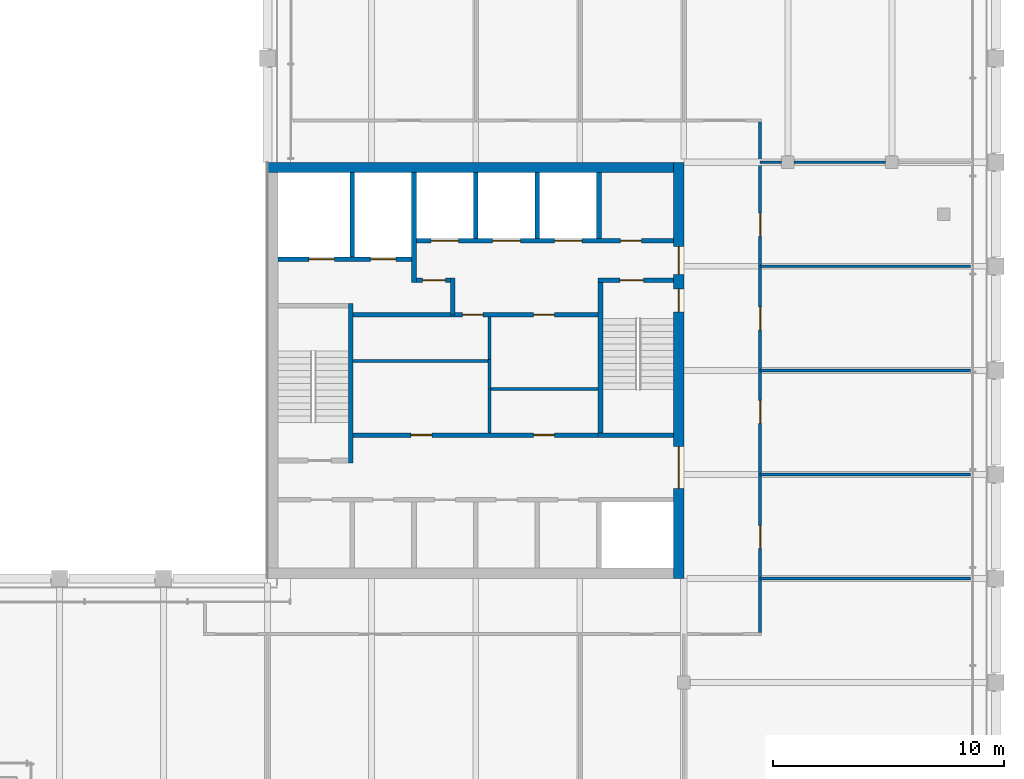
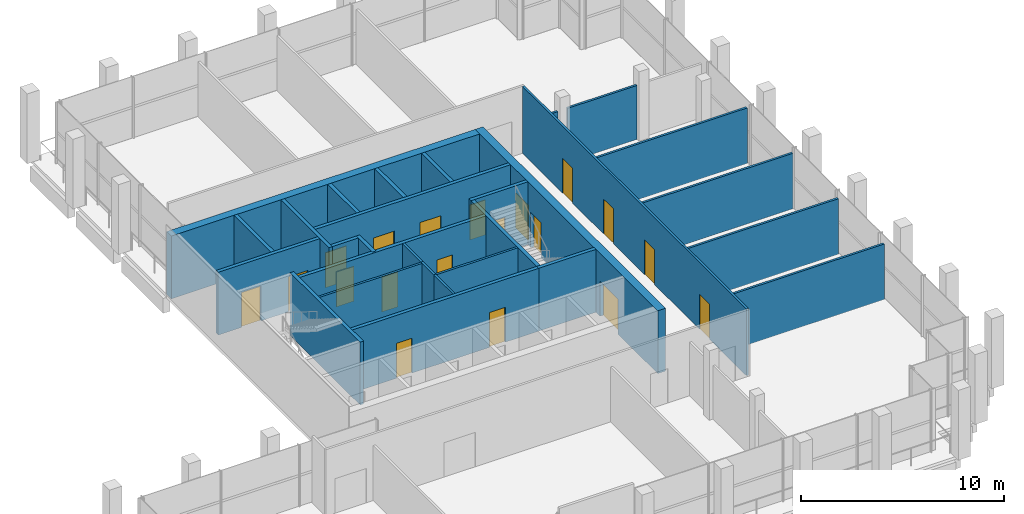
# One storey, part 15 of 17: 29 walls, 19 doors, 19 openings.
"""IFC4 building model written with IfcOpenShell, lengths in metres."""

from ifc_helpers import new_model, si_unit, direction, frame, frame_2d, origin, place, context, subcontext, project, spatial, rectangle, extrude, material, layer, layer_set, type_object, element, fill, save


model = new_model("IFC4")

# Units and contexts
model_context = context("Model", 3, precision=1e-05, world=origin(), true_north=direction((0.0, 1.0)))
body_context = subcontext(model_context, "Body", "Model", "MODEL_VIEW")
ifc_project = project(units=[si_unit("LENGTHUNIT", "METRE"), si_unit("AREAUNIT", "SQUARE_METRE"), si_unit("VOLUMEUNIT", "CUBIC_METRE"), si_unit("PLANEANGLEUNIT", "RADIAN"), si_unit("MASSUNIT", "GRAM", prefix="KILO")], contexts=[model_context])

# Site, building, storey
site_placement = place(None, origin())
site = spatial("IfcSite", under=ifc_project, at=site_placement, CompositionType="ELEMENT")
building_placement = place(site_placement, origin())
building = spatial("IfcBuilding", under=site, at=building_placement, Name="Altepetl Exchange Towers", CompositionType="ELEMENT")
storey_placement = place(building_placement, frame((0.0, 0.0, 251.0)))
storey = spatial("IfcBuildingStorey", under=building, at=storey_placement, Name="L64", CompositionType="ELEMENT", Elevation=251.0)

# Wall, openings, doors
ifc_material_1 = material(Name="Concrete C70/85", Category="concrete")
ifc_layer_1 = layer(ifc_material_1, 0.449951171875)
ifc_layer_set_1 = layer_set([ifc_layer_1], Name="Concrete C70/85")
wall_type_1 = type_object("IfcWallType", Name="Core wall 450 reinforced concrete", PredefinedType="SHEAR", material=ifc_layer_set_1)
wall_1_placement = place(storey_placement, frame((58.27490234375, 40.5, 0.0), z_axis=(0.0, 0.0, 1.0), x_axis=(0.0, 1.0, 0.0)))
wall_1 = element("IfcWall", 1, at=wall_1_placement, inside=storey, type_object=wall_type_1, Name="wall:A:L64:K-coreE", PredefinedType="SHEAR", context=body_context, shape_type="SweptSolid", body=[
    extrude(rectangle(XDim=18.0, YDim=0.449951171875, at=frame_2d((9.0, 0.0))), origin(), (0.0, 0.0, 1.0), 3.780029296875),
])
opening_1_placement = place(wall_1_placement, frame((13.14990234375, 0.0, 0.0)))
opening_1 = element("IfcOpeningElement", 2, at=opening_1_placement, cuts=wall_1, Name="Opening L64.A60", PredefinedType="OPENING", context=body_context, shape_type="SweptSolid", body=[
    extrude(rectangle(XDim=1.199951171875, YDim=2.10009765625, at=frame_2d((0.60009765625, 1.050048828125))), frame((0.0, 0.23486328125, 0.0), z_axis=(0.0, -1.0, 0.0), x_axis=(1.0, 0.0, 0.0)), (0.0, 0.0, 1.0), 0.469970703125),
])
opening_2_placement = place(wall_1_placement, frame((3.89990234375, 0.0, 0.0)))
opening_2 = element("IfcOpeningElement", 3, at=opening_2_placement, cuts=wall_1, Name="Opening L64.A61", PredefinedType="OPENING", context=body_context, shape_type="SweptSolid", body=[
    extrude(rectangle(XDim=1.800048828125, YDim=2.10009765625, at=frame_2d((0.89990234375, 1.050048828125))), frame((0.0, 0.23486328125, 0.0), z_axis=(0.0, -1.0, 0.0), x_axis=(1.0, 0.0, 0.0)), (0.0, 0.0, 1.0), 0.469970703125),
])
opening_3_placement = place(wall_1_placement, frame((11.52490234375, 0.0, 0.0)))
opening_3 = element("IfcOpeningElement", 4, at=opening_3_placement, cuts=wall_1, Name="Opening L64.A64", PredefinedType="OPENING", context=body_context, shape_type="SweptSolid", body=[
    extrude(rectangle(XDim=1.0, YDim=2.10009765625, at=frame_2d((0.5, 1.050048828125))), frame((0.0, 0.23486328125, 0.0), z_axis=(0.0, -1.0, 0.0), x_axis=(1.0, 0.0, 0.0)), (0.0, 0.0, 1.0), 0.469970703125),
])
ifc_material_2 = material(Name="Steel and timber fire door", Category="steel")
door_type_1 = type_object("IfcDoorType", Name="Fire door 1000 x 2100 stair and lobby", OperationType="SINGLE_SWING_LEFT", PredefinedType="DOOR", material=ifc_material_2)
door_1_placement = place(opening_3_placement, origin())
door_1 = element("IfcDoor", 5, at=door_1_placement, inside=storey, type_object=door_type_1, Name="door:A:L64:K-dS2x", OperationType="SINGLE_SWING_RIGHT", OverallHeight=2.10009765625, OverallWidth=1.0, PredefinedType="DOOR", context=body_context, shape_type="SweptSolid", body=[
    extrude(rectangle(XDim=1.0, YDim=2.10009765625, at=frame_2d((0.5, 1.050048828125))), frame((0.0, 0.02490234375, 0.0), z_axis=(0.0, -1.0, 0.0), x_axis=(1.0, 0.0, 0.0)), (0.0, 0.0, 1.0), 0.050048828125),
])
fill(opening_3, door_1)
door_type_2 = type_object("IfcDoorType", Name="Fire door 1200 x 2100 lobby entry", OperationType="SINGLE_SWING_LEFT", PredefinedType="DOOR", material=ifc_material_2)
door_2_placement = place(opening_1_placement, origin())
door_2 = element("IfcDoor", 6, at=door_2_placement, inside=storey, type_object=door_type_2, Name="door:A:L64:K-dLNE", OperationType="SINGLE_SWING_RIGHT", OverallHeight=2.10009765625, OverallWidth=1.199951171875, PredefinedType="DOOR", context=body_context, shape_type="SweptSolid", body=[
    extrude(rectangle(XDim=1.199951171875, YDim=2.10009765625, at=frame_2d((0.60009765625, 1.050048828125))), frame((0.0, 0.02490234375, 0.0), z_axis=(0.0, -1.0, 0.0), x_axis=(1.0, 0.0, 0.0)), (0.0, 0.0, 1.0), 0.050048828125),
])
fill(opening_1, door_2)
door_type_3 = type_object("IfcDoorType", Name="Fire door 1800 x 2100 lobby entry", OperationType="DOUBLE_DOOR_SINGLE_SWING", PredefinedType="DOOR", material=ifc_material_2)
door_3_placement = place(opening_2_placement, origin())
door_3 = element("IfcDoor", 7, at=door_3_placement, inside=storey, type_object=door_type_3, Name="door:A:L64:K-dLSE", OperationType="DOUBLE_DOOR_SINGLE_SWING", OverallHeight=2.10009765625, OverallWidth=1.800048828125, PredefinedType="DOOR", context=body_context, shape_type="SweptSolid", body=[
    extrude(rectangle(XDim=1.800048828125, YDim=2.10009765625, at=frame_2d((0.89990234375, 1.050048828125))), frame((0.0, 0.02490234375, 0.0), z_axis=(0.0, -1.0, 0.0), x_axis=(1.0, 0.0, 0.0)), (0.0, 0.0, 1.0), 0.050048828125),
])
fill(opening_2, door_3)

# Walls
wall_2_placement = place(storey_placement, frame((40.5, 58.27490234375, 0.0)))
element("IfcWall", 8, at=wall_2_placement, inside=storey, type_object=wall_type_1, Name="wall:A:L64:K-coreN", PredefinedType="SHEAR", context=body_context, shape_type="SweptSolid", body=[
    extrude(rectangle(XDim=17.550048828125, YDim=0.449951171875, at=frame_2d((8.77490234375, 0.0))), origin(), (0.0, 0.0, 1.0), 3.780029296875),
])
ifc_material_3 = material(Name="Concrete blockwork", Category="masonry")
ifc_layer_2 = layer(ifc_material_3, 0.199951171875)
ifc_layer_set_2 = layer_set([ifc_layer_2], Name="Concrete blockwork")
wall_type_2 = type_object("IfcWallType", Name="Lobby wall 200 blockwork", PredefinedType="PARTITIONING", material=ifc_layer_set_2)
wall_3_placement = place(storey_placement, frame((48.5, 51.89990234375, 0.0), z_axis=(0.0, 0.0, 1.0), x_axis=(0.0, 1.0, 0.0)))
element("IfcWall", 9, at=wall_3_placement, inside=storey, type_object=wall_type_2, Name="wall:A:L64:K-ffE", PredefinedType="PARTITIONING", context=body_context, shape_type="SweptSolid", body=[
    extrude(rectangle(XDim=1.60009765625, YDim=0.199951171875, at=frame_2d((0.800048828125, 0.0))), origin(), (0.0, 0.0, 1.0), 3.780029296875),
])

# Wall, opening, door
wall_4_placement = place(storey_placement, frame((46.933349609375, 53.39990234375, 0.0)))
wall_4 = element("IfcWall", 10, at=wall_4_placement, inside=storey, type_object=wall_type_2, Name="wall:A:L64:K-ffN", PredefinedType="PARTITIONING", context=body_context, shape_type="SweptSolid", body=[
    extrude(rectangle(XDim=1.466552734375, YDim=0.199951171875, at=frame_2d((0.7333984375, 0.0))), origin(), (0.0, 0.0, 1.0), 3.780029296875),
])
opening_4_placement = place(wall_4_placement, frame((0.2666015625, 0.0, 0.0)))
opening_4 = element("IfcOpeningElement", 11, at=opening_4_placement, cuts=wall_4, Name="Opening L64.A65", PredefinedType="OPENING", context=body_context, shape_type="SweptSolid", body=[
    extrude(rectangle(XDim=1.0, YDim=2.10009765625, at=frame_2d((0.5, 1.050048828125))), frame((0.0, 0.10986328125, 0.0), z_axis=(0.0, -1.0, 0.0), x_axis=(1.0, 0.0, 0.0)), (0.0, 0.0, 1.0), 0.219970703125),
])
door_4_placement = place(opening_4_placement, frame((1.0, 0.0, 0.0), x_axis=(-1.0, 0.0, 0.0)))
door_4 = element("IfcDoor", 12, at=door_4_placement, inside=storey, type_object=door_type_1, Name="door:A:L64:K-dffN", OperationType="SINGLE_SWING_RIGHT", OverallHeight=2.10009765625, OverallWidth=1.0, PredefinedType="DOOR", context=body_context, shape_type="SweptSolid", body=[
    extrude(rectangle(XDim=1.0, YDim=2.10009765625, at=frame_2d((0.5, 1.050048828125))), frame((0.0, 0.02490234375, 0.0), z_axis=(0.0, -1.0, 0.0), x_axis=(1.0, 0.0, 0.0)), (0.0, 0.0, 1.0), 0.050048828125),
])
fill(opening_4, door_4)

# Wall, openings, doors
wall_5_placement = place(storey_placement, frame((44.199951171875, 51.89990234375, 0.0)))
wall_5 = element("IfcWall", 13, at=wall_5_placement, inside=storey, type_object=wall_type_2, Name="wall:A:L64:K-zoneN", PredefinedType="PARTITIONING", context=body_context, shape_type="SweptSolid", body=[
    extrude(rectangle(XDim=10.60009765625, YDim=0.199951171875, at=frame_2d((5.300048828125, 0.0))), origin(), (0.0, 0.0, 1.0), 3.780029296875),
])
opening_5_placement = place(wall_5_placement, frame((4.72509765625, 0.0, 0.0)))
opening_5 = element("IfcOpeningElement", 14, at=opening_5_placement, cuts=wall_5, Name="Opening L64.A73", PredefinedType="OPENING", context=body_context, shape_type="SweptSolid", body=[
    extrude(rectangle(XDim=0.89990234375, YDim=2.10009765625, at=frame_2d((0.449951171875, 1.050048828125))), frame((0.0, 0.10986328125, 0.0), z_axis=(0.0, -1.0, 0.0), x_axis=(1.0, 0.0, 0.0)), (0.0, 0.0, 1.0), 0.219970703125),
])
opening_6_placement = place(wall_5_placement, frame((7.800048828125, 0.0, 0.0)))
opening_6 = element("IfcOpeningElement", 15, at=opening_6_placement, cuts=wall_5, Name="Opening L64.A75", PredefinedType="OPENING", context=body_context, shape_type="SweptSolid", body=[
    extrude(rectangle(XDim=0.89990234375, YDim=2.10009765625, at=frame_2d((0.449951171875, 1.050048828125))), frame((0.0, 0.10986328125, 0.0), z_axis=(0.0, -1.0, 0.0), x_axis=(1.0, 0.0, 0.0)), (0.0, 0.0, 1.0), 0.219970703125),
])
door_type_4 = type_object("IfcDoorType", Name="Fire door 900 x 2100 service room", OperationType="SINGLE_SWING_LEFT", PredefinedType="DOOR", material=ifc_material_2)
door_5_placement = place(opening_5_placement, frame((0.89990234375, 0.0, 0.0), x_axis=(-1.0, 0.0, 0.0)))
door_5 = element("IfcDoor", 16, at=door_5_placement, inside=storey, type_object=door_type_4, Name="door:A:L64:K-dz2", OperationType="SINGLE_SWING_RIGHT", OverallHeight=2.10009765625, OverallWidth=0.89990234375, PredefinedType="DOOR", context=body_context, shape_type="SweptSolid", body=[
    extrude(rectangle(XDim=0.89990234375, YDim=2.10009765625, at=frame_2d((0.449951171875, 1.050048828125))), frame((0.0, 0.02490234375, 0.0), z_axis=(0.0, -1.0, 0.0), x_axis=(1.0, 0.0, 0.0)), (0.0, 0.0, 1.0), 0.050048828125),
])
fill(opening_5, door_5)
door_6_placement = place(opening_6_placement, frame((0.89990234375, 0.0, 0.0), x_axis=(-1.0, 0.0, 0.0)))
door_6 = element("IfcDoor", 17, at=door_6_placement, inside=storey, type_object=door_type_4, Name="door:A:L64:K-dz4", OperationType="SINGLE_SWING_LEFT", OverallHeight=2.10009765625, OverallWidth=0.89990234375, PredefinedType="DOOR", context=body_context, shape_type="SweptSolid", body=[
    extrude(rectangle(XDim=0.89990234375, YDim=2.10009765625, at=frame_2d((0.449951171875, 1.050048828125))), frame((0.0, 0.02490234375, 0.0), z_axis=(0.0, -1.0, 0.0), x_axis=(1.0, 0.0, 0.0)), (0.0, 0.0, 1.0), 0.050048828125),
])
fill(opening_6, door_6)

wall_6_placement = place(storey_placement, frame((44.199951171875, 46.699951171875, 0.0)))
wall_6 = element("IfcWall", 18, at=wall_6_placement, inside=storey, type_object=wall_type_2, Name="wall:A:L64:K-zoneS", PredefinedType="PARTITIONING", context=body_context, shape_type="SweptSolid", body=[
    extrude(rectangle(XDim=10.60009765625, YDim=0.199951171875, at=frame_2d((5.300048828125, 0.0))), origin(), (0.0, 0.0, 1.0), 3.780029296875),
])
opening_7_placement = place(wall_6_placement, frame((2.5, 0.0, 0.0)))
opening_7 = element("IfcOpeningElement", 19, at=opening_7_placement, cuts=wall_6, Name="Opening L64.A72", PredefinedType="OPENING", context=body_context, shape_type="SweptSolid", body=[
    extrude(rectangle(XDim=0.89990234375, YDim=2.10009765625, at=frame_2d((0.449951171875, 1.050048828125))), frame((0.0, 0.10986328125, 0.0), z_axis=(0.0, -1.0, 0.0), x_axis=(1.0, 0.0, 0.0)), (0.0, 0.0, 1.0), 0.219970703125),
])
opening_8_placement = place(wall_6_placement, frame((7.800048828125, 0.0, 0.0)))
opening_8 = element("IfcOpeningElement", 20, at=opening_8_placement, cuts=wall_6, Name="Opening L64.A74", PredefinedType="OPENING", context=body_context, shape_type="SweptSolid", body=[
    extrude(rectangle(XDim=0.89990234375, YDim=2.10009765625, at=frame_2d((0.449951171875, 1.050048828125))), frame((0.0, 0.10986328125, 0.0), z_axis=(0.0, -1.0, 0.0), x_axis=(1.0, 0.0, 0.0)), (0.0, 0.0, 1.0), 0.219970703125),
])
door_7_placement = place(opening_7_placement, origin())
door_7 = element("IfcDoor", 21, at=door_7_placement, inside=storey, type_object=door_type_4, Name="door:A:L64:K-dz1", OperationType="SINGLE_SWING_RIGHT", OverallHeight=2.10009765625, OverallWidth=0.89990234375, PredefinedType="DOOR", context=body_context, shape_type="SweptSolid", body=[
    extrude(rectangle(XDim=0.89990234375, YDim=2.10009765625, at=frame_2d((0.449951171875, 1.050048828125))), frame((0.0, 0.02490234375, 0.0), z_axis=(0.0, -1.0, 0.0), x_axis=(1.0, 0.0, 0.0)), (0.0, 0.0, 1.0), 0.050048828125),
])
fill(opening_7, door_7)
door_8_placement = place(opening_8_placement, origin())
door_8 = element("IfcDoor", 22, at=door_8_placement, inside=storey, type_object=door_type_4, Name="door:A:L64:K-dz3", OperationType="SINGLE_SWING_RIGHT", OverallHeight=2.10009765625, OverallWidth=0.89990234375, PredefinedType="DOOR", context=body_context, shape_type="SweptSolid", body=[
    extrude(rectangle(XDim=0.89990234375, YDim=2.10009765625, at=frame_2d((0.449951171875, 1.050048828125))), frame((0.0, 0.02490234375, 0.0), z_axis=(0.0, -1.0, 0.0), x_axis=(1.0, 0.0, 0.0)), (0.0, 0.0, 1.0), 0.050048828125),
])
fill(opening_8, door_8)

# Walls
ifc_material_4 = material(Name="Gypsum board on steel studs", Category="steel")
ifc_layer_3 = layer(ifc_material_4, 0.125)
ifc_layer_set_3 = layer_set([ifc_layer_3], Name="Gypsum board on steel studs")
wall_type_3 = type_object("IfcWallType", Name="Partition 125 gypsum board on steel studs", PredefinedType="PARTITIONING", material=ifc_layer_set_3)
wall_7_placement = place(storey_placement, frame((50.10009765625, 46.800048828125, 0.0), z_axis=(0.0, 0.0, 1.0), x_axis=(0.0, 1.0, 0.0)))
element("IfcWall", 23, at=wall_7_placement, inside=storey, type_object=wall_type_3, Name="wall:A:L64:K-zp1", PredefinedType="PARTITIONING", context=body_context, shape_type="SweptSolid", body=[
    extrude(rectangle(XDim=1.96240234375, YDim=0.125, at=frame_2d((0.981201171875, 0.0))), origin(), (0.0, 0.0, 1.0), 3.780029296875),
])
wall_8_placement = place(storey_placement, frame((54.800048828125, 48.699951171875, 0.0), z_axis=(0.0, 0.0, 1.0), x_axis=(-1.0, 0.0, 0.0)))
element("IfcWall", 24, at=wall_8_placement, inside=storey, type_object=wall_type_3, Name="wall:A:L64:K-zp2", PredefinedType="PARTITIONING", context=body_context, shape_type="SweptSolid", body=[
    extrude(rectangle(XDim=4.637451171875, YDim=0.125, at=frame_2d((2.31884765625, 0.0))), origin(), (0.0, 0.0, 1.0), 3.780029296875),
])
wall_9_placement = place(storey_placement, frame((50.10009765625, 48.699951171875, 0.0), z_axis=(0.0, 0.0, 1.0), x_axis=(0.0, 1.0, 0.0)))
element("IfcWall", 25, at=wall_9_placement, inside=storey, type_object=wall_type_3, Name="wall:A:L64:K-zp3", PredefinedType="PARTITIONING", context=body_context, shape_type="SweptSolid", body=[
    extrude(rectangle(XDim=1.262451171875, YDim=0.125, at=frame_2d((0.63134765625, 0.0))), origin(), (0.0, 0.0, 1.0), 3.780029296875),
])
wall_10_placement = place(storey_placement, frame((50.03759765625, 49.89990234375, 0.0), z_axis=(0.0, 0.0, 1.0), x_axis=(-1.0, 0.0, 0.0)))
element("IfcWall", 26, at=wall_10_placement, inside=storey, type_object=wall_type_3, Name="wall:A:L64:K-zp4", PredefinedType="PARTITIONING", context=body_context, shape_type="SweptSolid", body=[
    extrude(rectangle(XDim=5.837646484375, YDim=0.125, at=frame_2d((2.9189453125, 0.0))), origin(), (0.0, 0.0, 1.0), 3.780029296875),
])
wall_11_placement = place(storey_placement, frame((50.10009765625, 49.89990234375, 0.0), z_axis=(0.0, 0.0, 1.0), x_axis=(0.0, 1.0, 0.0)))
element("IfcWall", 27, at=wall_11_placement, inside=storey, type_object=wall_type_3, Name="wall:A:L64:K-zp5", PredefinedType="PARTITIONING", context=body_context, shape_type="SweptSolid", body=[
    extrude(rectangle(XDim=1.900146484375, YDim=0.125, at=frame_2d((0.9501953125, 0.0))), origin(), (0.0, 0.0, 1.0), 3.780029296875),
])
for number, where, name in (
    (28, (61.800048828125, 40.5, 0.0), "wall:A:L64:P02"),
    (29, (61.800048828125, 45.0, 0.0), "wall:A:L64:P03"),
    (30, (61.800048828125, 49.5, 0.0), "wall:A:L64:P04"),
    (31, (61.800048828125, 54.0, 0.0), "wall:A:L64:P05"),
):
    element("IfcWall", number, at=place(storey_placement, frame(where)), inside=storey, type_object=wall_type_3, Name=name, PredefinedType="PARTITIONING", context=body_context, shape_type="SweptSolid", body=[
        extrude(rectangle(XDim=9.099853515625, YDim=0.125, at=frame_2d((4.5498046875, 0.0))), origin(), (0.0, 0.0, 1.0), 3.341064453125),
    ])
wall_12_placement = place(storey_placement, frame((61.800048828125, 58.5, 0.0)))
element("IfcWall", 32, at=wall_12_placement, inside=storey, type_object=wall_type_3, Name="wall:A:L64:P06", PredefinedType="PARTITIONING", context=body_context, shape_type="SweptSolid", body=[
    extrude(rectangle(XDim=0.925048828125, YDim=0.125, at=frame_2d((0.46240234375, 0.0))), origin(), (0.0, 0.0, 1.0), 3.2509765625),
])
wall_13_placement = place(storey_placement, frame((63.27490234375, 58.5, 0.0)))
element("IfcWall", 33, at=wall_13_placement, inside=storey, type_object=wall_type_3, Name="wall:A:L64:P07", PredefinedType="PARTITIONING", context=body_context, shape_type="SweptSolid", body=[
    extrude(rectangle(XDim=3.9501953125, YDim=0.125, at=frame_2d((1.97509765625, 0.0))), origin(), (0.0, 0.0, 1.0), 3.2509765625),
])

# Wall, openings, doors
wall_14_placement = place(storey_placement, frame((61.800048828125, 38.16259765625, 0.0), z_axis=(0.0, 0.0, 1.0), x_axis=(0.0, 1.0, 0.0)))
wall_14 = element("IfcWall", 34, at=wall_14_placement, inside=storey, type_object=wall_type_3, Name="wall:A:L64:P19", PredefinedType="PARTITIONING", context=body_context, shape_type="SweptSolid", body=[
    extrude(rectangle(XDim=22.074951171875, YDim=0.125, at=frame_2d((11.03759765625, 0.0))), origin(), (0.0, 0.0, 1.0), 4.02490234375),
])
opening_9_placement = place(wall_14_placement, frame((3.632568359375, 0.0, 0.0)))
opening_9 = element("IfcOpeningElement", 35, at=opening_9_placement, cuts=wall_14, Name="Opening L64.A05", PredefinedType="OPENING", context=body_context, shape_type="SweptSolid", body=[
    extrude(rectangle(XDim=1.0, YDim=2.10009765625, at=frame_2d((0.5, 1.050048828125))), frame((0.0, 0.072509765625, 0.0), z_axis=(0.0, -1.0, 0.0), x_axis=(1.0, 0.0, 0.0)), (0.0, 0.0, 1.0), 0.14501953125),
])
opening_10_placement = place(wall_14_placement, frame((9.04248046875, 0.0, 0.0)))
opening_10 = element("IfcOpeningElement", 36, at=opening_10_placement, cuts=wall_14, Name="Opening L64.A06", PredefinedType="OPENING", context=body_context, shape_type="SweptSolid", body=[
    extrude(rectangle(XDim=1.0, YDim=2.10009765625, at=frame_2d((0.5, 1.050048828125))), frame((0.0, 0.072509765625, 0.0), z_axis=(0.0, -1.0, 0.0), x_axis=(1.0, 0.0, 0.0)), (0.0, 0.0, 1.0), 0.14501953125),
])
opening_11_placement = place(wall_14_placement, frame((13.08740234375, 0.0, 0.0)))
opening_11 = element("IfcOpeningElement", 37, at=opening_11_placement, cuts=wall_14, Name="Opening L64.A07", PredefinedType="OPENING", context=body_context, shape_type="SweptSolid", body=[
    extrude(rectangle(XDim=1.0, YDim=2.10009765625, at=frame_2d((0.5, 1.050048828125))), frame((0.0, 0.072509765625, 0.0), z_axis=(0.0, -1.0, 0.0), x_axis=(1.0, 0.0, 0.0)), (0.0, 0.0, 1.0), 0.14501953125),
])
opening_12_placement = place(wall_14_placement, frame((17.132568359375, 0.0, 0.0)))
opening_12 = element("IfcOpeningElement", 38, at=opening_12_placement, cuts=wall_14, Name="Opening L64.A08", PredefinedType="OPENING", context=body_context, shape_type="SweptSolid", body=[
    extrude(rectangle(XDim=1.0, YDim=2.10009765625, at=frame_2d((0.5, 1.050048828125))), frame((0.0, 0.072509765625, 0.0), z_axis=(0.0, -1.0, 0.0), x_axis=(1.0, 0.0, 0.0)), (0.0, 0.0, 1.0), 0.14501953125),
])
door_type_5 = type_object("IfcDoorType", Name="Fire door 1000 x 2100 single leaf", OperationType="SINGLE_SWING_LEFT", PredefinedType="DOOR", material=ifc_material_2)
door_9_placement = place(opening_9_placement, frame((1.0, 0.0, 0.0), x_axis=(-1.0, 0.0, 0.0)))
door_9 = element("IfcDoor", 39, at=door_9_placement, inside=storey, type_object=door_type_5, Name="door:A:L64:05", OperationType="SINGLE_SWING_LEFT", OverallHeight=2.10009765625, OverallWidth=1.0, PredefinedType="DOOR", context=body_context, shape_type="SweptSolid", body=[
    extrude(rectangle(XDim=1.0, YDim=2.10009765625, at=frame_2d((0.5, 1.050048828125))), frame((0.0, 0.02490234375, 0.0), z_axis=(0.0, -1.0, 0.0), x_axis=(1.0, 0.0, 0.0)), (0.0, 0.0, 1.0), 0.050048828125),
])
fill(opening_9, door_9)
door_10_placement = place(opening_10_placement, frame((1.0, 0.0, 0.0), x_axis=(-1.0, 0.0, 0.0)))
door_10 = element("IfcDoor", 40, at=door_10_placement, inside=storey, type_object=door_type_5, Name="door:A:L64:06", OperationType="SINGLE_SWING_RIGHT", OverallHeight=2.10009765625, OverallWidth=1.0, PredefinedType="DOOR", context=body_context, shape_type="SweptSolid", body=[
    extrude(rectangle(XDim=1.0, YDim=2.10009765625, at=frame_2d((0.5, 1.050048828125))), frame((0.0, 0.02490234375, 0.0), z_axis=(0.0, -1.0, 0.0), x_axis=(1.0, 0.0, 0.0)), (0.0, 0.0, 1.0), 0.050048828125),
])
fill(opening_10, door_10)
door_11_placement = place(opening_11_placement, frame((1.0, 0.0, 0.0), x_axis=(-1.0, 0.0, 0.0)))
door_11 = element("IfcDoor", 41, at=door_11_placement, inside=storey, type_object=door_type_5, Name="door:A:L64:07", OperationType="SINGLE_SWING_LEFT", OverallHeight=2.10009765625, OverallWidth=1.0, PredefinedType="DOOR", context=body_context, shape_type="SweptSolid", body=[
    extrude(rectangle(XDim=1.0, YDim=2.10009765625, at=frame_2d((0.5, 1.050048828125))), frame((0.0, 0.02490234375, 0.0), z_axis=(0.0, -1.0, 0.0), x_axis=(1.0, 0.0, 0.0)), (0.0, 0.0, 1.0), 0.050048828125),
])
fill(opening_11, door_11)
door_12_placement = place(opening_12_placement, frame((1.0, 0.0, 0.0), x_axis=(-1.0, 0.0, 0.0)))
door_12 = element("IfcDoor", 42, at=door_12_placement, inside=storey, type_object=door_type_5, Name="door:A:L64:08", OperationType="SINGLE_SWING_RIGHT", OverallHeight=2.10009765625, OverallWidth=1.0, PredefinedType="DOOR", context=body_context, shape_type="SweptSolid", body=[
    extrude(rectangle(XDim=1.0, YDim=2.10009765625, at=frame_2d((0.5, 1.050048828125))), frame((0.0, 0.02490234375, 0.0), z_axis=(0.0, -1.0, 0.0), x_axis=(1.0, 0.0, 0.0)), (0.0, 0.0, 1.0), 0.050048828125),
])
fill(opening_12, door_12)

# Walls
ifc_material_5 = material(Name="Concrete C40/50", Category="concrete")
ifc_layer_4 = layer(ifc_material_5, 0.199951171875)
ifc_layer_set_4 = layer_set([ifc_layer_4], Name="Concrete C40/50")
wall_type_4 = type_object("IfcWallType", Name="Shaft wall 200 reinforced concrete", PredefinedType="SHEAR", material=ifc_layer_set_4)
wall_15_placement = place(storey_placement, frame((44.166748046875, 58.050048828125, 0.0), z_axis=(0.0, 0.0, 1.0), x_axis=(0.0, -1.0, 0.0)))
element("IfcWall", 43, at=wall_15_placement, inside=storey, type_object=wall_type_4, Name="wall:A:L64:K-divN1", PredefinedType="SHEAR", context=body_context, shape_type="SweptSolid", body=[
    extrude(rectangle(XDim=3.650146484375, YDim=0.199951171875, at=frame_2d((1.8251953125, 0.0))), origin(), (0.0, 0.0, 1.0), 3.780029296875),
])
wall_16_placement = place(storey_placement, frame((46.833251953125, 58.050048828125, 0.0), z_axis=(0.0, 0.0, 1.0), x_axis=(0.0, -1.0, 0.0)))
element("IfcWall", 44, at=wall_16_placement, inside=storey, type_object=wall_type_4, Name="wall:A:L64:K-divN2", PredefinedType="SHEAR", context=body_context, shape_type="SweptSolid", body=[
    extrude(rectangle(XDim=4.75, YDim=0.199951171875, at=frame_2d((2.375, 0.0))), origin(), (0.0, 0.0, 1.0), 3.780029296875),
])
for number, where, z_axis, x_axis, name in (
    (45, (49.5, 58.050048828125, 0.0), (0.0, 0.0, 1.0), (0.0, -1.0, 0.0), "wall:A:L64:K-divN3"),
    (46, (52.166748046875, 58.050048828125, 0.0), (0.0, 0.0, 1.0), (0.0, -1.0, 0.0), "wall:A:L64:K-divN4"),
    (47, (54.833251953125, 58.050048828125, 0.0), (0.0, 0.0, 1.0), (0.0, -1.0, 0.0), "wall:A:L64:K-divN5"),
):
    element("IfcWall", number, at=place(storey_placement, frame(where, z_axis=z_axis, x_axis=x_axis)), inside=storey, type_object=wall_type_4, Name=name, PredefinedType="SHEAR", context=body_context, shape_type="SweptSolid", body=[
        extrude(rectangle(XDim=2.85009765625, YDim=0.199951171875, at=frame_2d((1.425048828125, 0.0))), origin(), (0.0, 0.0, 1.0), 3.780029296875),
    ])

# Wall, openings, doors
wall_17_placement = place(storey_placement, frame((46.933349609375, 55.10009765625, 0.0)))
wall_17 = element("IfcWall", 48, at=wall_17_placement, inside=storey, type_object=wall_type_4, Name="wall:A:L64:K-frontNb", PredefinedType="SHEAR", context=body_context, shape_type="SweptSolid", body=[
    extrude(rectangle(XDim=11.11669921875, YDim=0.199951171875, at=frame_2d((5.558349609375, 0.0))), origin(), (0.0, 0.0, 1.0), 3.780029296875),
])
opening_13_placement = place(wall_17_placement, frame((8.83349609375, 0.0, 0.0)))
opening_13 = element("IfcOpeningElement", 49, at=opening_13_placement, cuts=wall_17, Name="Opening L64.A66", PredefinedType="OPENING", context=body_context, shape_type="SweptSolid", body=[
    extrude(rectangle(XDim=0.89990234375, YDim=2.10009765625, at=frame_2d((0.449951171875, 1.050048828125))), frame((0.0, 0.10986328125, 0.0), z_axis=(0.0, -1.0, 0.0), x_axis=(1.0, 0.0, 0.0)), (0.0, 0.0, 1.0), 0.219970703125),
])
opening_14_placement = place(wall_17_placement, frame((0.63330078125, 0.0, 0.0)))
opening_14 = element("IfcOpeningElement", 50, at=opening_14_placement, cuts=wall_17, Name="Opening L64.A78", PredefinedType="OPENING", context=body_context, shape_type="SweptSolid", body=[
    extrude(rectangle(XDim=1.199951171875, YDim=2.10009765625, at=frame_2d((0.60009765625, 1.050048828125))), frame((0.0, 0.10986328125, 0.0), z_axis=(0.0, -1.0, 0.0), x_axis=(1.0, 0.0, 0.0)), (0.0, 0.0, 1.0), 0.219970703125),
])
opening_15_placement = place(wall_17_placement, frame((3.300048828125, 0.0, 0.0)))
opening_15 = element("IfcOpeningElement", 51, at=opening_15_placement, cuts=wall_17, Name="Opening L64.A79", PredefinedType="OPENING", context=body_context, shape_type="SweptSolid", body=[
    extrude(rectangle(XDim=1.199951171875, YDim=2.10009765625, at=frame_2d((0.60009765625, 1.050048828125))), frame((0.0, 0.10986328125, 0.0), z_axis=(0.0, -1.0, 0.0), x_axis=(1.0, 0.0, 0.0)), (0.0, 0.0, 1.0), 0.219970703125),
])
opening_16_placement = place(wall_17_placement, frame((5.966796875, 0.0, 0.0)))
opening_16 = element("IfcOpeningElement", 52, at=opening_16_placement, cuts=wall_17, Name="Opening L64.A80", PredefinedType="OPENING", context=body_context, shape_type="SweptSolid", body=[
    extrude(rectangle(XDim=1.199951171875, YDim=2.10009765625, at=frame_2d((0.60009765625, 1.050048828125))), frame((0.0, 0.10986328125, 0.0), z_axis=(0.0, -1.0, 0.0), x_axis=(1.0, 0.0, 0.0)), (0.0, 0.0, 1.0), 0.219970703125),
])
door_13_placement = place(opening_13_placement, origin())
door_13 = element("IfcDoor", 53, at=door_13_placement, inside=storey, type_object=door_type_4, Name="door:A:L64:K-driser", OperationType="SINGLE_SWING_RIGHT", OverallHeight=2.10009765625, OverallWidth=0.89990234375, PredefinedType="DOOR", context=body_context, shape_type="SweptSolid", body=[
    extrude(rectangle(XDim=0.89990234375, YDim=2.10009765625, at=frame_2d((0.449951171875, 1.050048828125))), frame((0.0, 0.02490234375, 0.0), z_axis=(0.0, -1.0, 0.0), x_axis=(1.0, 0.0, 0.0)), (0.0, 0.0, 1.0), 0.050048828125),
])
fill(opening_13, door_13)
ifc_material_6 = material(Name="Stainless steel", Category="steel")
door_type_6 = type_object("IfcDoorType", Name="Lift landing door 1200 x 2100", OperationType="SLIDING_TO_LEFT", PredefinedType="DOOR", material=ifc_material_6)
door_14_placement = place(opening_14_placement, origin())
door_14 = element("IfcDoor", 54, at=door_14_placement, inside=storey, type_object=door_type_6, Name="Landing door P5", OperationType="SLIDING_TO_LEFT", OverallHeight=2.10009765625, OverallWidth=1.199951171875, PredefinedType="DOOR", context=body_context, shape_type="SweptSolid", body=[
    extrude(rectangle(XDim=1.199951171875, YDim=2.10009765625, at=frame_2d((0.60009765625, 1.050048828125))), frame((0.0, 0.02490234375, 0.0), z_axis=(0.0, -1.0, 0.0), x_axis=(1.0, 0.0, 0.0)), (0.0, 0.0, 1.0), 0.050048828125),
])
fill(opening_14, door_14)
door_15_placement = place(opening_15_placement, origin())
door_15 = element("IfcDoor", 55, at=door_15_placement, inside=storey, type_object=door_type_6, Name="Landing door P6", OperationType="SLIDING_TO_LEFT", OverallHeight=2.10009765625, OverallWidth=1.199951171875, PredefinedType="DOOR", context=body_context, shape_type="SweptSolid", body=[
    extrude(rectangle(XDim=1.199951171875, YDim=2.10009765625, at=frame_2d((0.60009765625, 1.050048828125))), frame((0.0, 0.02490234375, 0.0), z_axis=(0.0, -1.0, 0.0), x_axis=(1.0, 0.0, 0.0)), (0.0, 0.0, 1.0), 0.050048828125),
])
fill(opening_15, door_15)
door_16_placement = place(opening_16_placement, origin())
door_16 = element("IfcDoor", 56, at=door_16_placement, inside=storey, type_object=door_type_6, Name="Landing door P7", OperationType="SLIDING_TO_LEFT", OverallHeight=2.10009765625, OverallWidth=1.199951171875, PredefinedType="DOOR", context=body_context, shape_type="SweptSolid", body=[
    extrude(rectangle(XDim=1.199951171875, YDim=2.10009765625, at=frame_2d((0.60009765625, 1.050048828125))), frame((0.0, 0.02490234375, 0.0), z_axis=(0.0, -1.0, 0.0), x_axis=(1.0, 0.0, 0.0)), (0.0, 0.0, 1.0), 0.050048828125),
])
fill(opening_16, door_16)

wall_18_placement = place(storey_placement, frame((40.949951171875, 54.300048828125, 0.0)))
wall_18 = element("IfcWall", 57, at=wall_18_placement, inside=storey, type_object=wall_type_4, Name="wall:A:L64:K-frontNd", PredefinedType="SHEAR", context=body_context, shape_type="SweptSolid", body=[
    extrude(rectangle(XDim=5.783447265625, YDim=0.199951171875, at=frame_2d((2.8916015625, 0.0))), origin(), (0.0, 0.0, 1.0), 3.780029296875),
])
opening_17_placement = place(wall_18_placement, frame((1.333251953125, 0.0, 0.0)))
opening_17 = element("IfcOpeningElement", 58, at=opening_17_placement, cuts=wall_18, Name="Opening L64.A76", PredefinedType="OPENING", context=body_context, shape_type="SweptSolid", body=[
    extrude(rectangle(XDim=1.10009765625, YDim=2.10009765625, at=frame_2d((0.550048828125, 1.050048828125))), frame((0.0, 0.10986328125, 0.0), z_axis=(0.0, -1.0, 0.0), x_axis=(1.0, 0.0, 0.0)), (0.0, 0.0, 1.0), 0.219970703125),
])
opening_18_placement = place(wall_18_placement, frame((4.0, 0.0, 0.0)))
opening_18 = element("IfcOpeningElement", 59, at=opening_18_placement, cuts=wall_18, Name="Opening L64.A77", PredefinedType="OPENING", context=body_context, shape_type="SweptSolid", body=[
    extrude(rectangle(XDim=1.10009765625, YDim=2.10009765625, at=frame_2d((0.550048828125, 1.050048828125))), frame((0.0, 0.10986328125, 0.0), z_axis=(0.0, -1.0, 0.0), x_axis=(1.0, 0.0, 0.0)), (0.0, 0.0, 1.0), 0.219970703125),
])
door_type_7 = type_object("IfcDoorType", Name="Lift landing door 1100 x 2100", OperationType="SLIDING_TO_LEFT", PredefinedType="DOOR", material=ifc_material_6)
door_17_placement = place(opening_17_placement, origin())
door_17 = element("IfcDoor", 60, at=door_17_placement, inside=storey, type_object=door_type_7, Name="Landing door FFL1", OperationType="SLIDING_TO_LEFT", OverallHeight=2.10009765625, OverallWidth=1.10009765625, PredefinedType="DOOR", context=body_context, shape_type="SweptSolid", body=[
    extrude(rectangle(XDim=1.10009765625, YDim=2.10009765625, at=frame_2d((0.550048828125, 1.050048828125))), frame((0.0, 0.02490234375, 0.0), z_axis=(0.0, -1.0, 0.0), x_axis=(1.0, 0.0, 0.0)), (0.0, 0.0, 1.0), 0.050048828125),
])
fill(opening_17, door_17)
door_18_placement = place(opening_18_placement, origin())
door_18 = element("IfcDoor", 61, at=door_18_placement, inside=storey, type_object=door_type_7, Name="Landing door FFL2", OperationType="SLIDING_TO_LEFT", OverallHeight=2.10009765625, OverallWidth=1.10009765625, PredefinedType="DOOR", context=body_context, shape_type="SweptSolid", body=[
    extrude(rectangle(XDim=1.10009765625, YDim=2.10009765625, at=frame_2d((0.550048828125, 1.050048828125))), frame((0.0, 0.02490234375, 0.0), z_axis=(0.0, -1.0, 0.0), x_axis=(1.0, 0.0, 0.0)), (0.0, 0.0, 1.0), 0.050048828125),
])
fill(opening_18, door_18)

# Wall
ifc_layer_5 = layer(ifc_material_5, 0.199951171875)
ifc_layer_set_5 = layer_set([ifc_layer_5], Name="Concrete C40/50")
wall_type_5 = type_object("IfcWallType", Name="Stair wall 200 reinforced concrete", PredefinedType="SHEAR", material=ifc_layer_set_5)
wall_19_placement = place(storey_placement, frame((44.10009765625, 45.5, 0.0), z_axis=(0.0, 0.0, 1.0), x_axis=(0.0, 1.0, 0.0)))
element("IfcWall", 62, at=wall_19_placement, inside=storey, type_object=wall_type_5, Name="wall:A:L64:K-stS1E", PredefinedType="SHEAR", context=body_context, shape_type="SweptSolid", body=[
    extrude(rectangle(XDim=6.89990234375, YDim=0.199951171875, at=frame_2d((3.449951171875, 0.0))), origin(), (0.0, 0.0, 1.0), 3.780029296875),
])

# Wall, opening, door
wall_20_placement = place(storey_placement, frame((54.800048828125, 53.39990234375, 0.0)))
wall_20 = element("IfcWall", 63, at=wall_20_placement, inside=storey, type_object=wall_type_5, Name="wall:A:L64:K-stS2N", PredefinedType="SHEAR", context=body_context, shape_type="SweptSolid", body=[
    extrude(rectangle(XDim=3.25, YDim=0.199951171875, at=frame_2d((1.625, 0.0))), origin(), (0.0, 0.0, 1.0), 3.780029296875),
])
opening_19_placement = place(wall_20_placement, frame((0.949951171875, 0.0, 0.0)))
opening_19 = element("IfcOpeningElement", 64, at=opening_19_placement, cuts=wall_20, Name="Opening L64.A63", PredefinedType="OPENING", context=body_context, shape_type="SweptSolid", body=[
    extrude(rectangle(XDim=1.0, YDim=2.10009765625, at=frame_2d((0.5, 1.050048828125))), frame((0.0, 0.10986328125, 0.0), z_axis=(0.0, -1.0, 0.0), x_axis=(1.0, 0.0, 0.0)), (0.0, 0.0, 1.0), 0.219970703125),
])
door_19_placement = place(opening_19_placement, frame((1.0, 0.0, 0.0), x_axis=(-1.0, 0.0, 0.0)))
door_19 = element("IfcDoor", 65, at=door_19_placement, inside=storey, type_object=door_type_1, Name="door:A:L64:K-dS2in", OperationType="SINGLE_SWING_LEFT", OverallHeight=2.10009765625, OverallWidth=1.0, PredefinedType="DOOR", context=body_context, shape_type="SweptSolid", body=[
    extrude(rectangle(XDim=1.0, YDim=2.10009765625, at=frame_2d((0.5, 1.050048828125))), frame((0.0, 0.02490234375, 0.0), z_axis=(0.0, -1.0, 0.0), x_axis=(1.0, 0.0, 0.0)), (0.0, 0.0, 1.0), 0.050048828125),
])
fill(opening_19, door_19)

# Walls
wall_21_placement = place(storey_placement, frame((54.800048828125, 46.699951171875, 0.0)))
element("IfcWall", 66, at=wall_21_placement, inside=storey, type_object=wall_type_5, Name="wall:A:L64:K-stS2S", PredefinedType="SHEAR", context=body_context, shape_type="SweptSolid", body=[
    extrude(rectangle(XDim=3.25, YDim=0.199951171875, at=frame_2d((1.625, 0.0))), origin(), (0.0, 0.0, 1.0), 3.780029296875),
])
wall_22_placement = place(storey_placement, frame((54.89990234375, 46.800048828125, 0.0), z_axis=(0.0, 0.0, 1.0), x_axis=(0.0, 1.0, 0.0)))
element("IfcWall", 67, at=wall_22_placement, inside=storey, type_object=wall_type_5, Name="wall:A:L64:K-stS2W", PredefinedType="SHEAR", context=body_context, shape_type="SweptSolid", body=[
    extrude(rectangle(XDim=6.5, YDim=0.199951171875, at=frame_2d((3.25, 0.0))), origin(), (0.0, 0.0, 1.0), 3.780029296875),
])

save(model, "model.ifc")
